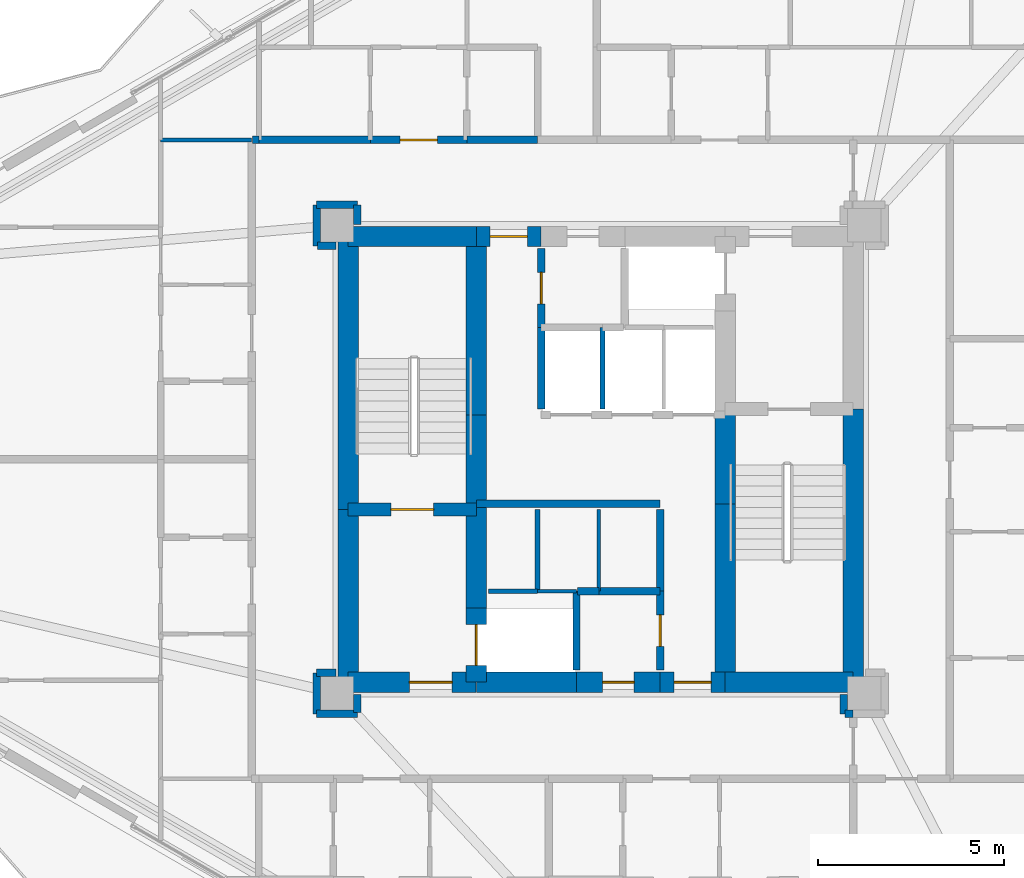
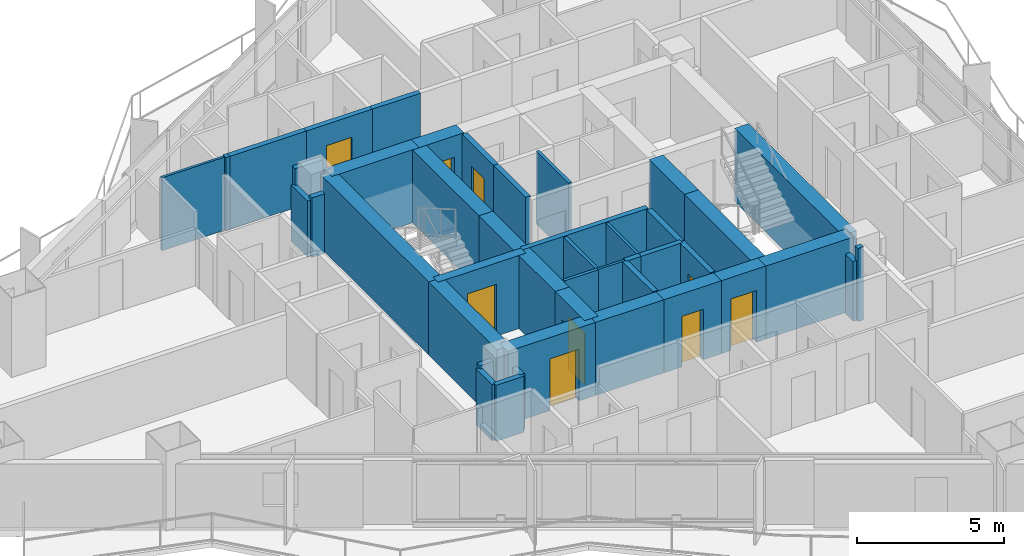
# One storey, part 13 of 18: 45 walls, 9 doors, 9 openings.
"""IFC4 building model written with IfcOpenShell, lengths in metres."""

from ifc_helpers import new_model, si_unit, direction, frame, frame_2d, origin, place, context, subcontext, project, spatial, rectangle, extrude, material, layer, layer_set, type_object, element, fill, save


model = new_model("IFC4")

# Units and contexts
model_context = context("Model", 3, precision=1e-05, world=origin(), true_north=direction((0.0, 1.0)))
body_context = subcontext(model_context, "Body", "Model", "MODEL_VIEW")
ifc_project = project(units=[si_unit("LENGTHUNIT", "METRE"), si_unit("AREAUNIT", "SQUARE_METRE"), si_unit("VOLUMEUNIT", "CUBIC_METRE"), si_unit("PLANEANGLEUNIT", "RADIAN"), si_unit("MASSUNIT", "GRAM", prefix="KILO")], contexts=[model_context])

# Site, building, storey
site_placement = place(None, origin())
site = spatial("IfcSite", under=ifc_project, at=site_placement, CompositionType="ELEMENT")
building_placement = place(site_placement, origin())
building = spatial("IfcBuilding", under=site, at=building_placement, Name="Mersakhor Tower and Convention Hall", CompositionType="ELEMENT")
storey_placement = place(building_placement, frame((0.0, 0.0, 32.39990234375)))
storey = spatial("IfcBuildingStorey", under=building, at=storey_placement, Name="L08", CompositionType="ELEMENT", Elevation=32.39990234375)

# Walls
ifc_material_1 = material(Name="Lightweight gypsum partition", Category="other")
ifc_layer_1 = layer(ifc_material_1, 0.10009765625)
ifc_layer_set_1 = layer_set([ifc_layer_1], Name="Lightweight gypsum partition")
wall_type_1 = type_object("IfcWallType", Name="WL-PRT-100", PredefinedType="PARTITIONING", material=ifc_layer_set_1)
wall_1_placement = place(storey_placement, frame((27.300048828125, 23.199951171875, 0.0), z_axis=(0.0, 0.0, 1.0), x_axis=(1.0, 0.0, 0.0)))
element("IfcWall", 1, at=wall_1_placement, inside=storey, type_object=wall_type_1, Name="L08 Interior Partition Wall P-002", PredefinedType="PARTITIONING", context=body_context, shape_type="SweptSolid", body=[
    extrude(rectangle(XDim=1.050048828125, YDim=0.10009765625, at=frame_2d((0.52490234375, 0.0))), origin(), (0.0, 0.0, 1.0), 3.0400390625),
])
wall_2_placement = place(storey_placement, frame((28.949951171875, 25.39990234375, 0.0), z_axis=(0.0, 0.0, 1.0), x_axis=(0.0, -1.0, 0.0)))
element("IfcWall", 2, at=wall_2_placement, inside=storey, type_object=wall_type_1, Name="L08 Interior Partition Wall P-008", PredefinedType="PARTITIONING", context=body_context, shape_type="SweptSolid", body=[
    extrude(rectangle(XDim=2.199951171875, YDim=0.10009765625, at=frame_2d((1.10009765625, 0.0))), origin(), (0.0, 0.0, 1.0), 3.0400390625),
])
wall_3_placement = place(storey_placement, frame((17.14990234375, 35.35009765625, 0.0), z_axis=(0.0, 0.0, 1.0), x_axis=(1.0, 0.0, 0.0)))
element("IfcWall", 3, at=wall_3_placement, inside=storey, type_object=wall_type_1, Name="L08 Interior Partition Wall P-112", PredefinedType="PARTITIONING", context=body_context, shape_type="SweptSolid", body=[
    extrude(rectangle(XDim=2.4501953125, YDim=0.10009765625, at=frame_2d((1.22509765625, 0.0))), origin(), (0.0, 0.0, 1.0), 3.0400390625),
])
ifc_material_2 = material(Name="Gypsum board acoustic partition", Category="other")
ifc_layer_2 = layer(ifc_material_2, 0.125)
ifc_layer_set_2 = layer_set([ifc_layer_2], Name="Gypsum board acoustic partition")
wall_type_2 = type_object("IfcWallType", Name="WL-PRT-125", PredefinedType="PARTITIONING", material=ifc_layer_set_2)
wall_4_placement = place(storey_placement, frame((25.97509765625, 23.199951171875, 0.0), z_axis=(0.0, 0.0, 1.0), x_axis=(1.0, 0.0, 0.0)))
element("IfcWall", 4, at=wall_4_placement, inside=storey, type_object=wall_type_2, Name="L08 Interior Partition Wall P-001", PredefinedType="PARTITIONING", context=body_context, shape_type="SweptSolid", body=[
    extrude(rectangle(XDim=1.324951171875, YDim=0.125, at=frame_2d((0.66259765625, 0.0))), origin(), (0.0, 0.0, 1.0), 3.0400390625),
])
for number, where, z_axis, x_axis, name in (
    (5, (27.300048828125, 25.39990234375, 0.0), (0.0, 0.0, 1.0), (0.0, -1.0, 0.0), "L08 Interior Partition Wall P-007"),
    (6, (29.050048828125, 30.300048828125, 0.0), (0.0, 0.0, 1.0), (0.0, -1.0, 0.0), "L08 Interior Partition Wall P-013"),
):
    element("IfcWall", number, at=place(storey_placement, frame(where, z_axis=z_axis, x_axis=x_axis)), inside=storey, type_object=wall_type_2, Name=name, PredefinedType="PARTITIONING", context=body_context, shape_type="SweptSolid", body=[
        extrude(rectangle(XDim=2.199951171875, YDim=0.125, at=frame_2d((1.10009765625, 0.0))), origin(), (0.0, 0.0, 1.0), 3.0400390625),
    ])
ifc_material_3 = material(Name="Acoustic concrete blockwork and gypsum board", Category="masonry")
ifc_layer_3 = layer(ifc_material_3, 0.199951171875)
ifc_layer_set_3 = layer_set([ifc_layer_3], Name="Acoustic concrete blockwork and gypsum board")
wall_type_3 = type_object("IfcWallType", Name="WL-PRT-200", PredefinedType="PARTITIONING", material=ifc_layer_set_3)
wall_5_placement = place(storey_placement, frame((25.64990234375, 25.550048828125, 0.0), z_axis=(0.0, 0.0, 1.0), x_axis=(1.0, 0.0, 0.0)))
element("IfcWall", 7, at=wall_5_placement, inside=storey, type_object=wall_type_3, Name="L08 High-Rise Lift Bank Front Wall", PredefinedType="PARTITIONING", context=body_context, shape_type="SweptSolid", body=[
    extrude(rectangle(XDim=4.9501953125, YDim=0.199951171875, at=frame_2d((2.47509765625, 0.0))), origin(), (0.0, 0.0, 1.0), 3.0400390625),
])
wall_6_placement = place(storey_placement, frame((28.35009765625, 23.199951171875, 0.0), z_axis=(0.0, 0.0, 1.0), x_axis=(0.0, -1.0, 0.0)))
element("IfcWall", 8, at=wall_6_placement, inside=storey, type_object=wall_type_3, Name="L08 Interior Partition Wall P-003", PredefinedType="PARTITIONING", context=body_context, shape_type="SweptSolid", body=[
    extrude(rectangle(XDim=2.125, YDim=0.199951171875, at=frame_2d((1.0625, 0.0))), origin(), (0.0, 0.0, 1.0), 3.0400390625),
])
wall_7_placement = place(storey_placement, frame((28.949951171875, 23.199951171875, 0.0), z_axis=(0.0, 0.0, 1.0), x_axis=(-1.0, 0.0, 0.0)))
element("IfcWall", 9, at=wall_7_placement, inside=storey, type_object=wall_type_3, Name="L08 Interior Partition Wall P-009", PredefinedType="PARTITIONING", context=body_context, shape_type="SweptSolid", body=[
    extrude(rectangle(XDim=0.570068359375, YDim=0.199951171875, at=frame_2d((0.28515625, 0.0))), origin(), (0.0, 0.0, 1.0), 3.0400390625),
])
wall_8_placement = place(storey_placement, frame((30.60009765625, 25.39990234375, 0.0), z_axis=(0.0, 0.0, 1.0), x_axis=(0.0, -1.0, 0.0)))
element("IfcWall", 10, at=wall_8_placement, inside=storey, type_object=wall_type_3, Name="L08 Interior Partition Wall P-010", PredefinedType="PARTITIONING", context=body_context, shape_type="SweptSolid", body=[
    extrude(rectangle(XDim=2.199951171875, YDim=0.199951171875, at=frame_2d((1.10009765625, 0.0))), origin(), (0.0, 0.0, 1.0), 3.0400390625),
])
wall_9_placement = place(storey_placement, frame((30.60009765625, 23.199951171875, 0.0), z_axis=(0.0, 0.0, 1.0), x_axis=(-1.0, 0.0, 0.0)))
element("IfcWall", 11, at=wall_9_placement, inside=storey, type_object=wall_type_3, Name="L08 Interior Partition Wall P-011", PredefinedType="PARTITIONING", context=body_context, shape_type="SweptSolid", body=[
    extrude(rectangle(XDim=1.650146484375, YDim=0.199951171875, at=frame_2d((0.8251953125, 0.0))), origin(), (0.0, 0.0, 1.0), 3.0400390625),
])
wall_10_placement = place(storey_placement, frame((27.39990234375, 28.10009765625, 0.0), z_axis=(0.0, 0.0, 1.0), x_axis=(0.0, 1.0, 0.0)))
element("IfcWall", 12, at=wall_10_placement, inside=storey, type_object=wall_type_3, Name="L08 Interior Partition Wall P-014", PredefinedType="PARTITIONING", context=body_context, shape_type="SweptSolid", body=[
    extrude(rectangle(XDim=2.199951171875, YDim=0.199951171875, at=frame_2d((1.10009765625, 0.0))), origin(), (0.0, 0.0, 1.0), 3.0400390625),
])

# Wall, opening, door
wall_11_placement = place(storey_placement, frame((30.60009765625, 21.074951171875, 0.0), z_axis=(0.0, 0.0, 1.0), x_axis=(0.0, 1.0, 0.0)))
wall_11 = element("IfcWall", 13, at=wall_11_placement, inside=storey, type_object=wall_type_3, Name="L08 Interior Partition Wall P-017", PredefinedType="PARTITIONING", context=body_context, shape_type="SweptSolid", body=[
    extrude(rectangle(XDim=2.125, YDim=0.199951171875, at=frame_2d((1.0625, 0.0))), origin(), (0.0, 0.0, 1.0), 3.0400390625),
])
opening_1_placement = place(wall_11_placement, frame((0.637451171875, 0.0, 0.0)))
opening_1 = element("IfcOpeningElement", 14, at=opening_1_placement, cuts=wall_11, Name="Opening SVD-01", PredefinedType="OPENING", context=body_context, shape_type="SweptSolid", body=[
    extrude(rectangle(XDim=0.85009765625, YDim=2.10009765625, at=frame_2d((0.425048828125, 1.050048828125))), frame((0.0, 0.10986328125, 0.0), z_axis=(0.0, -1.0, 0.0), x_axis=(1.0, 0.0, 0.0)), (0.0, 0.0, 1.0), 0.219970703125),
])
ifc_material_4 = material(Name="Fire-rated hardwood leaf and painted steel frame", Category="steel")
door_type_1 = type_object("IfcDoorType", Name="DR-INT-SVC-085x210", OperationType="NOTDEFINED", PredefinedType="DOOR", material=ifc_material_4)
door_1_placement = place(opening_1_placement, origin())
door_1 = element("IfcDoor", 15, at=door_1_placement, inside=storey, type_object=door_type_1, Name="L08 Central Passenger Lift Lobby to Electrical Switchroom Door", OperationType="SINGLE_SWING_RIGHT", OverallHeight=2.10009765625, OverallWidth=0.85009765625, PredefinedType="DOOR", context=body_context, shape_type="SweptSolid", body=[
    extrude(rectangle(XDim=0.85009765625, YDim=2.10009765625, at=frame_2d((0.425048828125, 1.050048828125))), frame((0.0, 0.02490234375, 0.0), z_axis=(0.0, -1.0, 0.0), x_axis=(1.0, 0.0, 0.0)), (0.0, 0.0, 1.0), 0.050048828125),
])
fill(opening_1, door_1)

wall_12_placement = place(storey_placement, frame((27.39990234375, 32.425048828125, 0.0), z_axis=(0.0, 0.0, 1.0), x_axis=(0.0, -1.0, 0.0)))
wall_12 = element("IfcWall", 16, at=wall_12_placement, inside=storey, type_object=wall_type_3, Name="L08 Interior Partition Wall P-018", PredefinedType="PARTITIONING", context=body_context, shape_type="SweptSolid", body=[
    extrude(rectangle(XDim=2.125, YDim=0.199951171875, at=frame_2d((1.0625, 0.0))), origin(), (0.0, 0.0, 1.0), 3.0400390625),
])
opening_2_placement = place(wall_12_placement, frame((0.637451171875, 0.0, 0.0)))
opening_2 = element("IfcOpeningElement", 17, at=opening_2_placement, cuts=wall_12, Name="Opening SVD-01", PredefinedType="OPENING", context=body_context, shape_type="SweptSolid", body=[
    extrude(rectangle(XDim=0.85009765625, YDim=2.10009765625, at=frame_2d((0.425048828125, 1.050048828125))), frame((0.0, 0.10986328125, 0.0), z_axis=(0.0, -1.0, 0.0), x_axis=(1.0, 0.0, 0.0)), (0.0, 0.0, 1.0), 0.219970703125),
])
door_2_placement = place(opening_2_placement, origin())
door_2 = element("IfcDoor", 18, at=door_2_placement, inside=storey, type_object=door_type_1, Name="L08 Central Passenger Lift Lobby to Telecoms and BMS Riser Room Door", OperationType="SINGLE_SWING_LEFT", OverallHeight=2.10009765625, OverallWidth=0.85009765625, PredefinedType="DOOR", context=body_context, shape_type="SweptSolid", body=[
    extrude(rectangle(XDim=0.85009765625, YDim=2.10009765625, at=frame_2d((0.425048828125, 1.050048828125))), frame((0.0, 0.02490234375, 0.0), z_axis=(0.0, -1.0, 0.0), x_axis=(1.0, 0.0, 0.0)), (0.0, 0.0, 1.0), 0.050048828125),
])
fill(opening_2, door_2)

# Walls
wall_13_placement = place(storey_placement, frame((21.35009765625, 19.89990234375, 0.0), z_axis=(0.0, 0.0, 1.0), x_axis=(1.0, 0.0, 0.0)))
element("IfcWall", 19, at=wall_13_placement, inside=storey, type_object=wall_type_3, Name="L08 Interior Partition Wall P-019", PredefinedType="PARTITIONING", context=body_context, shape_type="SweptSolid", body=[
    extrude(rectangle(XDim=1.099853515625, YDim=0.199951171875, at=frame_2d((0.5498046875, 0.0))), origin(), (0.0, 0.0, 1.0), 2.337646484375),
])
wall_14_placement = place(storey_placement, frame((22.449951171875, 19.929931640625, 0.0), z_axis=(0.0, 0.0, 1.0), x_axis=(0.0, 1.0, 0.0)))
element("IfcWall", 20, at=wall_14_placement, inside=storey, type_object=wall_type_3, Name="L08 Interior Partition Wall P-020", PredefinedType="PARTITIONING", context=body_context, shape_type="SweptSolid", body=[
    extrude(rectangle(XDim=0.4951171875, YDim=0.199951171875, at=frame_2d((0.24755859375, 0.0))), origin(), (0.0, 0.0, 1.0), 2.337646484375),
])
wall_15_placement = place(storey_placement, frame((35.550048828125, 20.425048828125, 0.0), z_axis=(0.0, 0.0, 1.0), x_axis=(0.0, -1.0, 0.0)))
element("IfcWall", 21, at=wall_15_placement, inside=storey, type_object=wall_type_3, Name="L08 Interior Partition Wall P-021", PredefinedType="PARTITIONING", context=body_context, shape_type="SweptSolid", body=[
    extrude(rectangle(XDim=0.525146484375, YDim=0.199951171875, at=frame_2d((0.2626953125, 0.0))), origin(), (0.0, 0.0, 1.0), 2.48828125),
])
wall_16_placement = place(storey_placement, frame((35.580078125, 19.89990234375, 0.0), z_axis=(0.0, 0.0, 1.0), x_axis=(1.0, 0.0, 0.0)))
element("IfcWall", 22, at=wall_16_placement, inside=storey, type_object=wall_type_3, Name="L08 Interior Partition Wall P-022", PredefinedType="PARTITIONING", context=body_context, shape_type="SweptSolid", body=[
    extrude(rectangle(XDim=0.219970703125, YDim=0.199951171875, at=frame_2d((0.10986328125, 0.0))), origin(), (0.0, 0.0, 1.0), 3.0400390625),
])
wall_17_placement = place(storey_placement, frame((19.6298828125, 35.35009765625, 0.0), z_axis=(0.0, 0.0, 1.0), x_axis=(1.0, 0.0, 0.0)))
element("IfcWall", 23, at=wall_17_placement, inside=storey, type_object=wall_type_3, Name="L08 Interior Partition Wall P-037", PredefinedType="PARTITIONING", context=body_context, shape_type="SweptSolid", body=[
    extrude(rectangle(XDim=0.170166015625, YDim=0.199951171875, at=frame_2d((0.0849609375, 0.0))), origin(), (0.0, 0.0, 1.0), 3.0400390625),
])
wall_18_placement = place(storey_placement, frame((19.800048828125, 35.35009765625, 0.0), z_axis=(0.0, 0.0, 1.0), x_axis=(1.0, 0.0, 0.0)))
element("IfcWall", 24, at=wall_18_placement, inside=storey, type_object=wall_type_3, Name="L08 Interior Partition Wall P-038", PredefinedType="PARTITIONING", context=body_context, shape_type="SweptSolid", body=[
    extrude(rectangle(XDim=3.0, YDim=0.199951171875, at=frame_2d((1.5, 0.0))), origin(), (0.0, 0.0, 1.0), 3.0400390625),
])

# Wall, opening, door
wall_19_placement = place(storey_placement, frame((22.800048828125, 35.35009765625, 0.0), z_axis=(0.0, 0.0, 1.0), x_axis=(1.0, 0.0, 0.0)))
wall_19 = element("IfcWall", 25, at=wall_19_placement, inside=storey, type_object=wall_type_3, Name="L08 Interior Partition Wall P-039", PredefinedType="PARTITIONING", context=body_context, shape_type="SweptSolid", body=[
    extrude(rectangle(XDim=2.599853515625, YDim=0.199951171875, at=frame_2d((1.2998046875, 0.0))), origin(), (0.0, 0.0, 1.0), 3.0400390625),
])
opening_3_placement = place(wall_19_placement, frame((0.800048828125, 0.0, 0.0)))
opening_3 = element("IfcOpeningElement", 26, at=opening_3_placement, cuts=wall_19, Name="Opening FD-01", PredefinedType="OPENING", context=body_context, shape_type="SweptSolid", body=[
    extrude(rectangle(XDim=1.0, YDim=2.14990234375, at=frame_2d((0.5, 1.074951171875))), frame((0.0, 0.10986328125, 0.0), z_axis=(0.0, -1.0, 0.0), x_axis=(1.0, 0.0, 0.0)), (0.0, 0.0, 1.0), 0.219970703125),
])
ifc_material_5 = material(Name="Fire-rated hardwood leaf and painted steel frame", Category="steel")
door_type_2 = type_object("IfcDoorType", Name="DR-INT-FLT-100x215", OperationType="NOTDEFINED", PredefinedType="DOOR", material=ifc_material_5)
door_3_placement = place(opening_3_placement, origin())
door_3 = element("IfcDoor", 27, at=door_3_placement, inside=storey, type_object=door_type_2, Name="L08 Apartment Entrance Door (Residential Ring Corridor to L08 Flat N1 Apartment Hall)", OperationType="SINGLE_SWING_RIGHT", OverallHeight=2.14990234375, OverallWidth=1.0, PredefinedType="DOOR", context=body_context, shape_type="SweptSolid", body=[
    extrude(rectangle(XDim=1.0, YDim=2.14990234375, at=frame_2d((0.5, 1.074951171875))), frame((0.0, 0.02490234375, 0.0), z_axis=(0.0, -1.0, 0.0), x_axis=(1.0, 0.0, 0.0)), (0.0, 0.0, 1.0), 0.050048828125),
])
fill(opening_3, door_3)

# Walls
wall_20_placement = place(storey_placement, frame((25.39990234375, 35.35009765625, 0.0), z_axis=(0.0, 0.0, 1.0), x_axis=(1.0, 0.0, 0.0)))
element("IfcWall", 28, at=wall_20_placement, inside=storey, type_object=wall_type_3, Name="L08 Interior Partition Wall P-040", PredefinedType="PARTITIONING", context=body_context, shape_type="SweptSolid", body=[
    extrude(rectangle(XDim=1.900146484375, YDim=0.199951171875, at=frame_2d((0.9501953125, 0.0))), origin(), (0.0, 0.0, 1.0), 3.0400390625),
])
wall_21_placement = place(storey_placement, frame((22.449951171875, 33.074951171875, 0.0), z_axis=(0.0, 0.0, 1.0), x_axis=(0.0, 1.0, 0.0)))
element("IfcWall", 29, at=wall_21_placement, inside=storey, type_object=wall_type_3, Name="L08 Interior Partition Wall P-048", PredefinedType="PARTITIONING", context=body_context, shape_type="SweptSolid", body=[
    extrude(rectangle(XDim=0.525146484375, YDim=0.199951171875, at=frame_2d((0.2626953125, 0.0))), origin(), (0.0, 0.0, 1.0), 2.48828125),
])
wall_22_placement = place(storey_placement, frame((22.449951171875, 33.60009765625, 0.0), z_axis=(0.0, 0.0, 1.0), x_axis=(-1.0, 0.0, 0.0)))
element("IfcWall", 30, at=wall_22_placement, inside=storey, type_object=wall_type_3, Name="L08 Interior Partition Wall P-049", PredefinedType="PARTITIONING", context=body_context, shape_type="SweptSolid", body=[
    extrude(rectangle(XDim=1.099853515625, YDim=0.199951171875, at=frame_2d((0.5498046875, 0.0))), origin(), (0.0, 0.0, 1.0), 3.0400390625),
])
wall_23_placement = place(storey_placement, frame((21.35009765625, 33.60009765625, 0.0), z_axis=(0.0, 0.0, 1.0), x_axis=(0.0, -1.0, 0.0)))
element("IfcWall", 31, at=wall_23_placement, inside=storey, type_object=wall_type_3, Name="L08 Interior Partition Wall P-050", PredefinedType="PARTITIONING", context=body_context, shape_type="SweptSolid", body=[
    extrude(rectangle(XDim=1.10009765625, YDim=0.199951171875, at=frame_2d((0.550048828125, 0.0))), origin(), (0.0, 0.0, 1.0), 2.337646484375),
])
wall_24_placement = place(storey_placement, frame((21.3798828125, 32.5, 0.0), z_axis=(0.0, 0.0, 1.0), x_axis=(1.0, 0.0, 0.0)))
element("IfcWall", 32, at=wall_24_placement, inside=storey, type_object=wall_type_3, Name="L08 Interior Partition Wall P-051", PredefinedType="PARTITIONING", context=body_context, shape_type="SweptSolid", body=[
    extrude(rectangle(XDim=0.4951171875, YDim=0.199951171875, at=frame_2d((0.24755859375, 0.0))), origin(), (0.0, 0.0, 1.0), 2.48828125),
])
wall_25_placement = place(storey_placement, frame((21.875, 21.0, 0.0), z_axis=(0.0, 0.0, 1.0), x_axis=(-1.0, 0.0, 0.0)))
element("IfcWall", 33, at=wall_25_placement, inside=storey, type_object=wall_type_3, Name="L08 Interior Partition Wall P-052", PredefinedType="PARTITIONING", context=body_context, shape_type="SweptSolid", body=[
    extrude(rectangle(XDim=0.52490234375, YDim=0.199951171875, at=frame_2d((0.262451171875, 0.0))), origin(), (0.0, 0.0, 1.0), 2.48828125),
])
wall_26_placement = place(storey_placement, frame((21.35009765625, 21.0, 0.0), z_axis=(0.0, 0.0, 1.0), x_axis=(0.0, -1.0, 0.0)))
element("IfcWall", 34, at=wall_26_placement, inside=storey, type_object=wall_type_3, Name="L08 Interior Partition Wall P-053", PredefinedType="PARTITIONING", context=body_context, shape_type="SweptSolid", body=[
    extrude(rectangle(XDim=1.10009765625, YDim=0.199951171875, at=frame_2d((0.550048828125, 0.0))), origin(), (0.0, 0.0, 1.0), 2.337646484375),
])

# Wall, opening, door
ifc_material_6 = material(Name="Concrete C50/60", Category="concrete")
ifc_layer_4 = layer(ifc_material_6, 0.35009765625)
ifc_layer_set_4 = layer_set([ifc_layer_4], Name="Concrete C50/60")
wall_type_4 = type_object("IfcWallType", Name="WL-SHR-350", PredefinedType="SHEAR", material=ifc_layer_set_4)
wall_27_placement = place(storey_placement, frame((22.199951171875, 25.39990234375, 0.0), z_axis=(0.0, 0.0, 1.0), x_axis=(1.0, 0.0, 0.0)))
wall_27 = element("IfcWall", 35, at=wall_27_placement, inside=storey, type_object=wall_type_4, Name="L08 Core Wall CS-ST1-S", PredefinedType="SHEAR", context=body_context, shape_type="SweptSolid", body=[
    extrude(rectangle(XDim=3.449951171875, YDim=0.35009765625, at=frame_2d((1.72509765625, 0.0))), origin(), (0.0, 0.0, 1.0), 3.0400390625),
])
opening_4_placement = place(wall_27_placement, frame((1.14990234375, 0.0, 0.0)))
opening_4 = element("IfcOpeningElement", 36, at=opening_4_placement, cuts=wall_27, Name="Opening SD-01", PredefinedType="OPENING", context=body_context, shape_type="SweptSolid", body=[
    extrude(rectangle(XDim=1.14990234375, YDim=2.14990234375, at=frame_2d((0.574951171875, 1.074951171875))), frame((0.0, 0.18505859375, 0.0), z_axis=(0.0, -1.0, 0.0), x_axis=(1.0, 0.0, 0.0)), (0.0, 0.0, 1.0), 0.3701171875),
])
ifc_material_7 = material(Name="Fire-rated hardwood leaf and painted steel frame", Category="steel")
door_type_3 = type_object("IfcDoorType", Name="DR-INT-STAIR-115x215", OperationType="NOTDEFINED", PredefinedType="DOOR", material=ifc_material_7)
door_4_placement = place(opening_4_placement, origin())
door_4 = element("IfcDoor", 37, at=door_4_placement, inside=storey, type_object=door_type_3, Name="L08 Exit Stair ST-1 Enclosure Door", OperationType="SINGLE_SWING_LEFT", OverallHeight=2.14990234375, OverallWidth=1.14990234375, PredefinedType="DOOR", context=body_context, shape_type="SweptSolid", body=[
    extrude(rectangle(XDim=1.14990234375, YDim=2.14990234375, at=frame_2d((0.574951171875, 1.074951171875))), frame((0.0, 0.02490234375, 0.0), z_axis=(0.0, -1.0, 0.0), x_axis=(1.0, 0.0, 0.0)), (0.0, 0.0, 1.0), 0.050048828125),
])
fill(opening_4, door_4)

# Walls
ifc_material_8 = material(Name="Concrete C70/85", Category="concrete")
ifc_layer_5 = layer(ifc_material_8, 0.550048828125)
ifc_layer_set_5 = layer_set([ifc_layer_5], Name="Concrete C70/85")
wall_type_5 = type_object("IfcWallType", Name="WL-SHR-550", PredefinedType="SHEAR", material=ifc_layer_set_5)
wall_28_placement = place(storey_placement, frame((22.199951171875, 20.75, 0.0), z_axis=(0.0, 0.0, 1.0), x_axis=(0.0, 1.0, 0.0)))
element("IfcWall", 38, at=wall_28_placement, inside=storey, type_object=wall_type_5, Name="L08 Core Wall CW-W1", PredefinedType="SHEAR", context=body_context, shape_type="SweptSolid", body=[
    extrude(rectangle(XDim=4.64990234375, YDim=0.550048828125, at=frame_2d((2.324951171875, 0.0))), origin(), (0.0, 0.0, 1.0), 3.0400390625),
])
wall_29_placement = place(storey_placement, frame((22.199951171875, 25.39990234375, 0.0), z_axis=(0.0, 0.0, 1.0), x_axis=(0.0, 1.0, 0.0)))
element("IfcWall", 39, at=wall_29_placement, inside=storey, type_object=wall_type_5, Name="L08 Core Wall CW-W2", PredefinedType="SHEAR", context=body_context, shape_type="SweptSolid", body=[
    extrude(rectangle(XDim=7.35009765625, YDim=0.550048828125, at=frame_2d((3.675048828125, 0.0))), origin(), (0.0, 0.0, 1.0), 3.0400390625),
])
wall_30_placement = place(storey_placement, frame((22.199951171875, 32.75, 0.0), z_axis=(0.0, 0.0, 1.0), x_axis=(1.0, 0.0, 0.0)))
element("IfcWall", 40, at=wall_30_placement, inside=storey, type_object=wall_type_5, Name="L08 Core Wall CW-N1", PredefinedType="SHEAR", context=body_context, shape_type="SweptSolid", body=[
    extrude(rectangle(XDim=3.449951171875, YDim=0.550048828125, at=frame_2d((1.72509765625, 0.0))), origin(), (0.0, 0.0, 1.0), 3.0400390625),
])

# Wall, opening, door
wall_31_placement = place(storey_placement, frame((25.64990234375, 32.75, 0.0), z_axis=(0.0, 0.0, 1.0), x_axis=(1.0, 0.0, 0.0)))
wall_31 = element("IfcWall", 41, at=wall_31_placement, inside=storey, type_object=wall_type_5, Name="L08 Core Wall CW-N2A", PredefinedType="SHEAR", context=body_context, shape_type="SweptSolid", body=[
    extrude(rectangle(XDim=1.75, YDim=0.550048828125, at=frame_2d((0.875, 0.0))), origin(), (0.0, 0.0, 1.0), 3.0400390625),
])
opening_5_placement = place(wall_31_placement, frame((0.375, 0.0, 0.0)))
opening_5 = element("IfcOpeningElement", 42, at=opening_5_placement, cuts=wall_31, Name="Opening CFD-01", PredefinedType="OPENING", context=body_context, shape_type="SweptSolid", body=[
    extrude(rectangle(XDim=1.0, YDim=2.14990234375, at=frame_2d((0.5, 1.074951171875))), frame((0.0, 0.284912109375, 0.0), z_axis=(0.0, -1.0, 0.0), x_axis=(1.0, 0.0, 0.0)), (0.0, 0.0, 1.0), 0.570068359375),
])
ifc_material_9 = material(Name="Fire-rated hardwood leaf and painted steel frame", Category="steel")
door_type_4 = type_object("IfcDoorType", Name="DR-CORE-FD-100x215", OperationType="NOTDEFINED", PredefinedType="DOOR", material=ifc_material_9)
door_5_placement = place(opening_5_placement, origin())
door_5 = element("IfcDoor", 43, at=door_5_placement, inside=storey, type_object=door_type_4, Name="L08 Lift Lobby North Corridor Door", OperationType="SINGLE_SWING_LEFT", OverallHeight=2.14990234375, OverallWidth=1.0, PredefinedType="DOOR", context=body_context, shape_type="SweptSolid", body=[
    extrude(rectangle(XDim=1.0, YDim=2.14990234375, at=frame_2d((0.5, 1.074951171875))), frame((0.0, 0.02490234375, 0.0), z_axis=(0.0, -1.0, 0.0), x_axis=(1.0, 0.0, 0.0)), (0.0, 0.0, 1.0), 0.050048828125),
])
fill(opening_5, door_5)

# Walls
wall_32_placement = place(storey_placement, frame((35.800048828125, 28.10009765625, 0.0), z_axis=(0.0, 0.0, 1.0), x_axis=(0.0, -1.0, 0.0)))
element("IfcWall", 44, at=wall_32_placement, inside=storey, type_object=wall_type_5, Name="L08 Core Wall CW-E2", PredefinedType="SHEAR", context=body_context, shape_type="SweptSolid", body=[
    extrude(rectangle(XDim=7.35009765625, YDim=0.550048828125, at=frame_2d((3.675048828125, 0.0))), origin(), (0.0, 0.0, 1.0), 3.0400390625),
])
wall_33_placement = place(storey_placement, frame((35.800048828125, 20.75, 0.0), z_axis=(0.0, 0.0, 1.0), x_axis=(-1.0, 0.0, 0.0)))
element("IfcWall", 45, at=wall_33_placement, inside=storey, type_object=wall_type_5, Name="L08 Core Wall CW-S1", PredefinedType="SHEAR", context=body_context, shape_type="SweptSolid", body=[
    extrude(rectangle(XDim=3.449951171875, YDim=0.550048828125, at=frame_2d((1.72509765625, 0.0))), origin(), (0.0, 0.0, 1.0), 3.0400390625),
])

# Wall, opening, door
wall_34_placement = place(storey_placement, frame((32.35009765625, 20.75, 0.0), z_axis=(0.0, 0.0, 1.0), x_axis=(-1.0, 0.0, 0.0)))
wall_34 = element("IfcWall", 46, at=wall_34_placement, inside=storey, type_object=wall_type_5, Name="L08 Core Wall CW-S2A", PredefinedType="SHEAR", context=body_context, shape_type="SweptSolid", body=[
    extrude(rectangle(XDim=1.75, YDim=0.550048828125, at=frame_2d((0.875, 0.0))), origin(), (0.0, 0.0, 1.0), 3.0400390625),
])
opening_6_placement = place(wall_34_placement, frame((0.375, 0.0, 0.0)))
opening_6 = element("IfcOpeningElement", 47, at=opening_6_placement, cuts=wall_34, Name="Opening CFD-01", PredefinedType="OPENING", context=body_context, shape_type="SweptSolid", body=[
    extrude(rectangle(XDim=1.0, YDim=2.14990234375, at=frame_2d((0.5, 1.074951171875))), frame((0.0, 0.284912109375, 0.0), z_axis=(0.0, -1.0, 0.0), x_axis=(1.0, 0.0, 0.0)), (0.0, 0.0, 1.0), 0.570068359375),
])
door_6_placement = place(opening_6_placement, origin())
door_6 = element("IfcDoor", 48, at=door_6_placement, inside=storey, type_object=door_type_4, Name="L08 Lift Lobby South Corridor Door", OperationType="SINGLE_SWING_RIGHT", OverallHeight=2.14990234375, OverallWidth=1.0, PredefinedType="DOOR", context=body_context, shape_type="SweptSolid", body=[
    extrude(rectangle(XDim=1.0, YDim=2.14990234375, at=frame_2d((0.5, 1.074951171875))), frame((0.0, 0.02490234375, 0.0), z_axis=(0.0, -1.0, 0.0), x_axis=(1.0, 0.0, 0.0)), (0.0, 0.0, 1.0), 0.050048828125),
])
fill(opening_6, door_6)

wall_35_placement = place(storey_placement, frame((30.60009765625, 20.75, 0.0), z_axis=(0.0, 0.0, 1.0), x_axis=(-1.0, 0.0, 0.0)))
wall_35 = element("IfcWall", 49, at=wall_35_placement, inside=storey, type_object=wall_type_5, Name="L08 Core Wall CW-S2B", PredefinedType="SHEAR", context=body_context, shape_type="SweptSolid", body=[
    extrude(rectangle(XDim=2.25, YDim=0.550048828125, at=frame_2d((1.125, 0.0))), origin(), (0.0, 0.0, 1.0), 3.0400390625),
])
opening_7_placement = place(wall_35_placement, frame((0.699951171875, 0.0, 0.0)))
opening_7 = element("IfcOpeningElement", 50, at=opening_7_placement, cuts=wall_35, Name="Opening SVD-01", PredefinedType="OPENING", context=body_context, shape_type="SweptSolid", body=[
    extrude(rectangle(XDim=0.85009765625, YDim=2.10009765625, at=frame_2d((0.425048828125, 1.050048828125))), frame((0.0, 0.284912109375, 0.0), z_axis=(0.0, -1.0, 0.0), x_axis=(1.0, 0.0, 0.0)), (0.0, 0.0, 1.0), 0.570068359375),
])
door_7_placement = place(opening_7_placement, origin())
door_7 = element("IfcDoor", 51, at=door_7_placement, inside=storey, type_object=door_type_1, Name="L08 Residential Ring Corridor to Electrical Switchroom Door", OperationType="SINGLE_SWING_RIGHT", OverallHeight=2.10009765625, OverallWidth=0.85009765625, PredefinedType="DOOR", context=body_context, shape_type="SweptSolid", body=[
    extrude(rectangle(XDim=0.85009765625, YDim=2.10009765625, at=frame_2d((0.425048828125, 1.050048828125))), frame((0.0, 0.02490234375, 0.0), z_axis=(0.0, -1.0, 0.0), x_axis=(1.0, 0.0, 0.0)), (0.0, 0.0, 1.0), 0.050048828125),
])
fill(opening_7, door_7)

# Wall
wall_36_placement = place(storey_placement, frame((28.35009765625, 20.75, 0.0), z_axis=(0.0, 0.0, 1.0), x_axis=(-1.0, 0.0, 0.0)))
element("IfcWall", 52, at=wall_36_placement, inside=storey, type_object=wall_type_5, Name="L08 Core Wall CW-S3", PredefinedType="SHEAR", context=body_context, shape_type="SweptSolid", body=[
    extrude(rectangle(XDim=2.7001953125, YDim=0.550048828125, at=frame_2d((1.35009765625, 0.0))), origin(), (0.0, 0.0, 1.0), 3.0400390625),
])

# Wall, opening, door
wall_37_placement = place(storey_placement, frame((25.64990234375, 20.75, 0.0), z_axis=(0.0, 0.0, 1.0), x_axis=(-1.0, 0.0, 0.0)))
wall_37 = element("IfcWall", 53, at=wall_37_placement, inside=storey, type_object=wall_type_5, Name="L08 Core Wall CW-S4", PredefinedType="SHEAR", context=body_context, shape_type="SweptSolid", body=[
    extrude(rectangle(XDim=3.449951171875, YDim=0.550048828125, at=frame_2d((1.72509765625, 0.0))), origin(), (0.0, 0.0, 1.0), 3.0400390625),
])
opening_8_placement = place(wall_37_placement, frame((0.64990234375, 0.0, 0.0)))
opening_8 = element("IfcOpeningElement", 54, at=opening_8_placement, cuts=wall_37, Name="Opening SD-01", PredefinedType="OPENING", context=body_context, shape_type="SweptSolid", body=[
    extrude(rectangle(XDim=1.14990234375, YDim=2.14990234375, at=frame_2d((0.574951171875, 1.074951171875))), frame((0.0, 0.284912109375, 0.0), z_axis=(0.0, -1.0, 0.0), x_axis=(1.0, 0.0, 0.0)), (0.0, 0.0, 1.0), 0.570068359375),
])
door_8_placement = place(opening_8_placement, origin())
door_8 = element("IfcDoor", 55, at=door_8_placement, inside=storey, type_object=door_type_3, Name="L08 Firefighting Lobby West Fire Door", OperationType="SINGLE_SWING_LEFT", OverallHeight=2.14990234375, OverallWidth=1.14990234375, PredefinedType="DOOR", context=body_context, shape_type="SweptSolid", body=[
    extrude(rectangle(XDim=1.14990234375, YDim=2.14990234375, at=frame_2d((0.574951171875, 1.074951171875))), frame((0.0, 0.02490234375, 0.0), z_axis=(0.0, -1.0, 0.0), x_axis=(1.0, 0.0, 0.0)), (0.0, 0.0, 1.0), 0.050048828125),
])
fill(opening_8, door_8)

wall_38_placement = place(storey_placement, frame((25.64990234375, 20.75, 0.0), z_axis=(0.0, 0.0, 1.0), x_axis=(0.0, 1.0, 0.0)))
wall_38 = element("IfcWall", 56, at=wall_38_placement, inside=storey, type_object=wall_type_5, Name="L08 Core Wall CS-W-FFL", PredefinedType="SHEAR", context=body_context, shape_type="SweptSolid", body=[
    extrude(rectangle(XDim=2.0, YDim=0.550048828125, at=frame_2d((1.0, 0.0))), origin(), (0.0, 0.0, 1.0), 3.0400390625),
])
opening_9_placement = place(wall_38_placement, frame((0.449951171875, 0.0, 0.0)))
opening_9 = element("IfcOpeningElement", 57, at=opening_9_placement, cuts=wall_38, Name="Opening LD-FFL1", PredefinedType="OPENING", context=body_context, shape_type="SweptSolid", body=[
    extrude(rectangle(XDim=1.10009765625, YDim=2.14990234375, at=frame_2d((0.550048828125, 1.074951171875))), frame((0.0, 0.284912109375, 0.0), z_axis=(0.0, -1.0, 0.0), x_axis=(1.0, 0.0, 0.0)), (0.0, 0.0, 1.0), 0.570068359375),
])
ifc_material_10 = material(Name="Fire-rated brushed stainless steel sliding landing door", Category="steel")
door_type_5 = type_object("IfcDoorType", Name="DR-LIFT-SLD-110x215", OperationType="NOTDEFINED", PredefinedType="DOOR", material=ifc_material_10)
door_9_placement = place(opening_9_placement, origin())
door_9 = element("IfcDoor", 58, at=door_9_placement, inside=storey, type_object=door_type_5, Name="L08 Firefighting Lift Landing Door LD-FFL1", OperationType="SLIDING_TO_LEFT", OverallHeight=2.14990234375, OverallWidth=1.10009765625, PredefinedType="DOOR", context=body_context, shape_type="SweptSolid", body=[
    extrude(rectangle(XDim=1.10009765625, YDim=2.14990234375, at=frame_2d((0.550048828125, 1.074951171875))), frame((0.0, 0.02490234375, 0.0), z_axis=(0.0, -1.0, 0.0), x_axis=(1.0, 0.0, 0.0)), (0.0, 0.0, 1.0), 0.050048828125),
])
fill(opening_9, door_9)

# Walls
wall_39_placement = place(storey_placement, frame((25.64990234375, 22.75, 0.0), z_axis=(0.0, 0.0, 1.0), x_axis=(0.0, 1.0, 0.0)))
element("IfcWall", 59, at=wall_39_placement, inside=storey, type_object=wall_type_5, Name="L08 Core Wall CS-W-MID", PredefinedType="SHEAR", context=body_context, shape_type="SweptSolid", body=[
    extrude(rectangle(XDim=2.800048828125, YDim=0.550048828125, at=frame_2d((1.39990234375, 0.0))), origin(), (0.0, 0.0, 1.0), 3.0400390625),
])
wall_40_placement = place(storey_placement, frame((25.64990234375, 25.550048828125, 0.0), z_axis=(0.0, 0.0, 1.0), x_axis=(0.0, 1.0, 0.0)))
element("IfcWall", 60, at=wall_40_placement, inside=storey, type_object=wall_type_5, Name="L08 Core Wall CS-W-LOB", PredefinedType="SHEAR", context=body_context, shape_type="SweptSolid", body=[
    extrude(rectangle(XDim=2.39990234375, YDim=0.550048828125, at=frame_2d((1.199951171875, 0.0))), origin(), (0.0, 0.0, 1.0), 3.0400390625),
])
for number, where, z_axis, x_axis, name in (
    (61, (25.64990234375, 27.949951171875, 0.0), (0.0, 0.0, 1.0), (0.0, 1.0, 0.0), "L08 Core Wall CS-W-ST1"),
    (62, (32.35009765625, 20.75, 0.0), (0.0, 0.0, 1.0), (0.0, 1.0, 0.0), "L08 Core Wall CS-E-ST2"),
):
    element("IfcWall", number, at=place(storey_placement, frame(where, z_axis=z_axis, x_axis=x_axis)), inside=storey, type_object=wall_type_5, Name=name, PredefinedType="SHEAR", context=body_context, shape_type="SweptSolid", body=[
        extrude(rectangle(XDim=4.800048828125, YDim=0.550048828125, at=frame_2d((2.39990234375, 0.0))), origin(), (0.0, 0.0, 1.0), 3.0400390625),
    ])
wall_41_placement = place(storey_placement, frame((32.35009765625, 25.550048828125, 0.0), z_axis=(0.0, 0.0, 1.0), x_axis=(0.0, 1.0, 0.0)))
element("IfcWall", 63, at=wall_41_placement, inside=storey, type_object=wall_type_5, Name="L08 Core Wall CS-E-LOB", PredefinedType="SHEAR", context=body_context, shape_type="SweptSolid", body=[
    extrude(rectangle(XDim=2.39990234375, YDim=0.550048828125, at=frame_2d((1.199951171875, 0.0))), origin(), (0.0, 0.0, 1.0), 3.0400390625),
])

save(model, "model.ifc")
